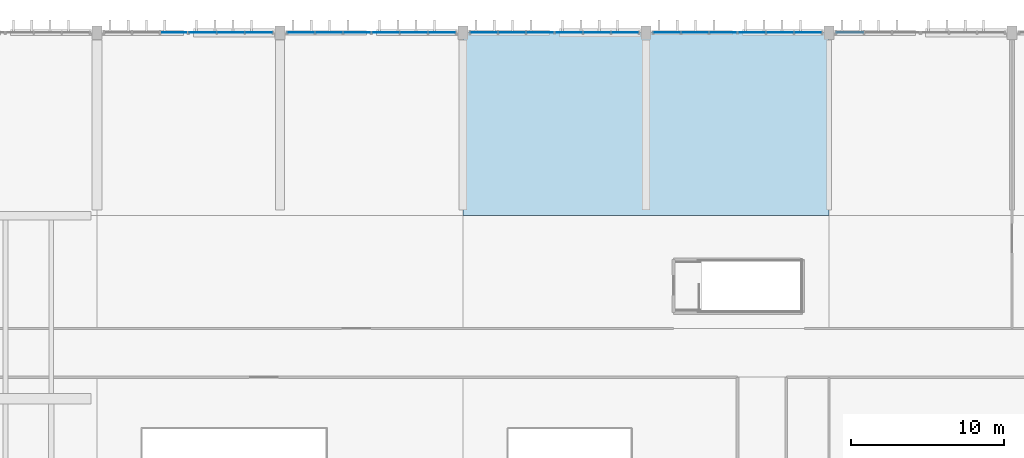
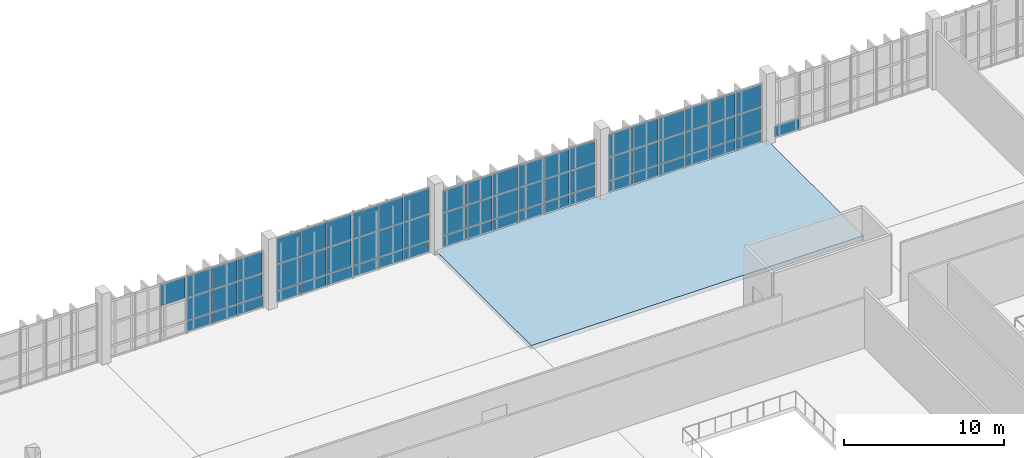
# One storey, part 72 of 112: 65 plates, 1 slab, 9 elements without a shape of their own.
"""IFC4 building model written with IfcOpenShell, lengths in metres."""

from ifc_helpers import new_model, si_unit, direction, frame, origin, origin_2d, place, context, subcontext, project, spatial, polyline, rectangle, outline, extrude, material, layer, layer_set, type_object, element, aggregate, save


model = new_model("IFC4")

# Units and contexts
model_context = context("Model", 3, precision=1e-05, world=origin(), true_north=direction((0.0, 1.0)))
body_context = subcontext(model_context, "Body", "Model", "MODEL_VIEW")
ifc_project = project(units=[si_unit("LENGTHUNIT", "METRE"), si_unit("AREAUNIT", "SQUARE_METRE"), si_unit("VOLUMEUNIT", "CUBIC_METRE"), si_unit("PLANEANGLEUNIT", "RADIAN"), si_unit("MASSUNIT", "GRAM", prefix="KILO")], contexts=[model_context])

# Site, building, storey
site_placement = place(None, origin())
site = spatial("IfcSite", under=ifc_project, at=site_placement, CompositionType="ELEMENT")
building_placement = place(site_placement, origin())
building = spatial("IfcBuilding", under=site, at=building_placement, Name="Kamomehara Wholesale Market", CompositionType="ELEMENT")
storey_placement = place(building_placement, frame((0.0, 0.0, 6.60009765625)))
storey = spatial("IfcBuildingStorey", under=building, at=storey_placement, Name="L01", CompositionType="ELEMENT", Elevation=6.60009765625)

# Curtain wall, plate
ifc_material_1 = material(Name="Anodised aluminium 6063-T5", Category="aluminium")
curtain_wall_type = type_object("IfcCurtainWallType", Name="CW-UN-02", PredefinedType="NOTDEFINED", material=ifc_material_1)
curtain_wall_1_placement = place(storey_placement, origin())
curtain_wall_1 = element("IfcCurtainWall", 1, at=curtain_wall_1_placement, inside=storey, type_object=curtain_wall_type, Name="Unitised curtain wall CW-061", PredefinedType="NOTDEFINED")
ifc_material_2 = material(Name="Solar-control Low-E double glazing", Category="glass")
ifc_layer_1 = layer(ifc_material_2, 0.028076171875)
ifc_layer_set_1 = layer_set([ifc_layer_1], Name="Solar-control Low-E double glazing")
plate_type_1 = type_object("IfcPlateType", Name="CW-PNL-GLZ", PredefinedType="CURTAIN_PANEL", material=ifc_layer_set_1)
plate_1_placement = place(storey_placement, frame((77.052001953125, 156.02001953125, 2.669921875), z_axis=(0.0, 0.0, 1.0), x_axis=(1.0, 0.0, 0.0)))
plate_1 = element("IfcPlate", 2, at=plate_1_placement, type_object=plate_type_1, Name="Curtain panel CW-061.2.2", PredefinedType="CURTAIN_PANEL", context=body_context, shape_type="SweptSolid", body=[
    extrude(rectangle(XDim=1.757080078125, YDim=0.028076171875, at=origin_2d()), origin(), (0.0, 0.0, 1.0), 1.639892578125),
])
aggregate(curtain_wall_1, [plate_1])

# Curtain wall, plates
curtain_wall_2_placement = place(storey_placement, origin())
curtain_wall_2 = element("IfcCurtainWall", 3, at=curtain_wall_2_placement, inside=storey, type_object=curtain_wall_type, Name="Unitised curtain wall CW-062", PredefinedType="NOTDEFINED")
plate_2_placement = place(storey_placement, frame((78.947998046875, 156.02001953125, 0.93017578125), z_axis=(0.0, 0.0, 1.0), x_axis=(1.0, 0.0, 0.0)))
plate_2 = element("IfcPlate", 4, at=plate_2_placement, type_object=plate_type_1, Name="Curtain panel CW-062.0.1", PredefinedType="CURTAIN_PANEL", context=body_context, shape_type="SweptSolid", body=[
    extrude(rectangle(XDim=1.757080078125, YDim=0.028076171875, at=origin_2d()), origin(), (0.0, 0.0, 1.0), 1.679931640625),
])
plate_3_placement = place(storey_placement, frame((78.947998046875, 156.02001953125, 2.669921875), z_axis=(0.0, 0.0, 1.0), x_axis=(1.0, 0.0, 0.0)))
plate_3 = element("IfcPlate", 5, at=plate_3_placement, type_object=plate_type_1, Name="Curtain panel CW-062.0.2", PredefinedType="CURTAIN_PANEL", context=body_context, shape_type="SweptSolid", body=[
    extrude(rectangle(XDim=1.757080078125, YDim=0.028076171875, at=origin_2d()), origin(), (0.0, 0.0, 1.0), 1.639892578125),
])
plate_4_placement = place(storey_placement, frame((80.784912109375, 156.02001953125, 0.93017578125), z_axis=(0.0, 0.0, 1.0), x_axis=(1.0, 0.0, 0.0)))
plate_4 = element("IfcPlate", 6, at=plate_4_placement, type_object=plate_type_1, Name="Curtain panel CW-062.1.1", PredefinedType="CURTAIN_PANEL", context=body_context, shape_type="SweptSolid", body=[
    extrude(rectangle(XDim=1.757080078125, YDim=0.028076171875, at=origin_2d()), origin(), (0.0, 0.0, 1.0), 1.679931640625),
])
plate_5_placement = place(storey_placement, frame((80.784912109375, 156.02001953125, 2.669921875), z_axis=(0.0, 0.0, 1.0), x_axis=(1.0, 0.0, 0.0)))
plate_5 = element("IfcPlate", 7, at=plate_5_placement, type_object=plate_type_1, Name="Curtain panel CW-062.1.2", PredefinedType="CURTAIN_PANEL", context=body_context, shape_type="SweptSolid", body=[
    extrude(rectangle(XDim=1.757080078125, YDim=0.028076171875, at=origin_2d()), origin(), (0.0, 0.0, 1.0), 1.639892578125),
])
plate_6_placement = place(storey_placement, frame((82.6220703125, 156.02001953125, 0.93017578125), z_axis=(0.0, 0.0, 1.0), x_axis=(1.0, 0.0, 0.0)))
plate_6 = element("IfcPlate", 8, at=plate_6_placement, type_object=plate_type_1, Name="Curtain panel CW-062.2.1", PredefinedType="CURTAIN_PANEL", context=body_context, shape_type="SweptSolid", body=[
    extrude(rectangle(XDim=1.757080078125, YDim=0.028076171875, at=origin_2d()), origin(), (0.0, 0.0, 1.0), 1.679931640625),
])
plate_7_placement = place(storey_placement, frame((82.6220703125, 156.02001953125, 2.669921875), z_axis=(0.0, 0.0, 1.0), x_axis=(1.0, 0.0, 0.0)))
plate_7 = element("IfcPlate", 9, at=plate_7_placement, type_object=plate_type_1, Name="Curtain panel CW-062.2.2", PredefinedType="CURTAIN_PANEL", context=body_context, shape_type="SweptSolid", body=[
    extrude(rectangle(XDim=1.757080078125, YDim=0.028076171875, at=origin_2d()), origin(), (0.0, 0.0, 1.0), 1.639892578125),
])

curtain_wall_3_placement = place(storey_placement, origin())
curtain_wall_3 = element("IfcCurtainWall", 10, at=curtain_wall_3_placement, inside=storey, type_object=curtain_wall_type, Name="Unitised curtain wall CW-065", PredefinedType="NOTDEFINED")
plate_8_placement = place(storey_placement, frame((85.3779296875, 156.02001953125, 0.93017578125), z_axis=(0.0, 0.0, 1.0), x_axis=(1.0, 0.0, 0.0)))
plate_8 = element("IfcPlate", 11, at=plate_8_placement, type_object=plate_type_1, Name="Curtain panel CW-065.0.1", PredefinedType="CURTAIN_PANEL", context=body_context, shape_type="SweptSolid", body=[
    extrude(rectangle(XDim=1.757080078125, YDim=0.028076171875, at=origin_2d()), origin(), (0.0, 0.0, 1.0), 1.985107421875),
])
plate_9_placement = place(storey_placement, frame((85.3779296875, 156.02001953125, 2.974609375), z_axis=(0.0, 0.0, 1.0), x_axis=(1.0, 0.0, 0.0)))
plate_9 = element("IfcPlate", 12, at=plate_9_placement, type_object=plate_type_1, Name="Curtain panel CW-065.0.2", PredefinedType="CURTAIN_PANEL", context=body_context, shape_type="SweptSolid", body=[
    extrude(rectangle(XDim=1.757080078125, YDim=0.028076171875, at=origin_2d()), origin(), (0.0, 0.0, 1.0), 1.945068359375),
])
plate_10_placement = place(storey_placement, frame((87.215087890625, 156.02001953125, 0.93017578125), z_axis=(0.0, 0.0, 1.0), x_axis=(1.0, 0.0, 0.0)))
plate_10 = element("IfcPlate", 13, at=plate_10_placement, type_object=plate_type_1, Name="Curtain panel CW-065.1.1", PredefinedType="CURTAIN_PANEL", context=body_context, shape_type="SweptSolid", body=[
    extrude(rectangle(XDim=1.757080078125, YDim=0.028076171875, at=origin_2d()), origin(), (0.0, 0.0, 1.0), 1.985107421875),
])
plate_11_placement = place(storey_placement, frame((87.215087890625, 156.02001953125, 2.974609375), z_axis=(0.0, 0.0, 1.0), x_axis=(1.0, 0.0, 0.0)))
plate_11 = element("IfcPlate", 14, at=plate_11_placement, type_object=plate_type_1, Name="Curtain panel CW-065.1.2", PredefinedType="CURTAIN_PANEL", context=body_context, shape_type="SweptSolid", body=[
    extrude(rectangle(XDim=1.757080078125, YDim=0.028076171875, at=origin_2d()), origin(), (0.0, 0.0, 1.0), 1.945068359375),
])
plate_12_placement = place(storey_placement, frame((89.052001953125, 156.02001953125, 0.93017578125), z_axis=(0.0, 0.0, 1.0), x_axis=(1.0, 0.0, 0.0)))
plate_12 = element("IfcPlate", 15, at=plate_12_placement, type_object=plate_type_1, Name="Curtain panel CW-065.2.1", PredefinedType="CURTAIN_PANEL", context=body_context, shape_type="SweptSolid", body=[
    extrude(rectangle(XDim=1.757080078125, YDim=0.028076171875, at=origin_2d()), origin(), (0.0, 0.0, 1.0), 1.985107421875),
])
plate_13_placement = place(storey_placement, frame((89.052001953125, 156.02001953125, 2.974609375), z_axis=(0.0, 0.0, 1.0), x_axis=(1.0, 0.0, 0.0)))
plate_13 = element("IfcPlate", 16, at=plate_13_placement, type_object=plate_type_1, Name="Curtain panel CW-065.2.2", PredefinedType="CURTAIN_PANEL", context=body_context, shape_type="SweptSolid", body=[
    extrude(rectangle(XDim=1.757080078125, YDim=0.028076171875, at=origin_2d()), origin(), (0.0, 0.0, 1.0), 1.945068359375),
])

curtain_wall_4_placement = place(storey_placement, origin())
curtain_wall_4 = element("IfcCurtainWall", 17, at=curtain_wall_4_placement, inside=storey, type_object=curtain_wall_type, Name="Unitised curtain wall CW-066", PredefinedType="NOTDEFINED")
plate_14_placement = place(storey_placement, frame((90.947998046875, 156.02001953125, 0.93017578125), z_axis=(0.0, 0.0, 1.0), x_axis=(1.0, 0.0, 0.0)))
plate_14 = element("IfcPlate", 18, at=plate_14_placement, type_object=plate_type_1, Name="Curtain panel CW-066.0.1", PredefinedType="CURTAIN_PANEL", context=body_context, shape_type="SweptSolid", body=[
    extrude(rectangle(XDim=1.757080078125, YDim=0.028076171875, at=origin_2d()), origin(), (0.0, 0.0, 1.0), 1.985107421875),
])
plate_15_placement = place(storey_placement, frame((90.947998046875, 156.02001953125, 2.974609375), z_axis=(0.0, 0.0, 1.0), x_axis=(1.0, 0.0, 0.0)))
plate_15 = element("IfcPlate", 19, at=plate_15_placement, type_object=plate_type_1, Name="Curtain panel CW-066.0.2", PredefinedType="CURTAIN_PANEL", context=body_context, shape_type="SweptSolid", body=[
    extrude(rectangle(XDim=1.757080078125, YDim=0.028076171875, at=origin_2d()), origin(), (0.0, 0.0, 1.0), 1.945068359375),
])
plate_16_placement = place(storey_placement, frame((92.784912109375, 156.02001953125, 0.93017578125), z_axis=(0.0, 0.0, 1.0), x_axis=(1.0, 0.0, 0.0)))
plate_16 = element("IfcPlate", 20, at=plate_16_placement, type_object=plate_type_1, Name="Curtain panel CW-066.1.1", PredefinedType="CURTAIN_PANEL", context=body_context, shape_type="SweptSolid", body=[
    extrude(rectangle(XDim=1.757080078125, YDim=0.028076171875, at=origin_2d()), origin(), (0.0, 0.0, 1.0), 1.985107421875),
])
plate_17_placement = place(storey_placement, frame((92.784912109375, 156.02001953125, 2.974609375), z_axis=(0.0, 0.0, 1.0), x_axis=(1.0, 0.0, 0.0)))
plate_17 = element("IfcPlate", 21, at=plate_17_placement, type_object=plate_type_1, Name="Curtain panel CW-066.1.2", PredefinedType="CURTAIN_PANEL", context=body_context, shape_type="SweptSolid", body=[
    extrude(rectangle(XDim=1.757080078125, YDim=0.028076171875, at=origin_2d()), origin(), (0.0, 0.0, 1.0), 1.945068359375),
])
plate_18_placement = place(storey_placement, frame((94.6220703125, 156.02001953125, 0.93017578125), z_axis=(0.0, 0.0, 1.0), x_axis=(1.0, 0.0, 0.0)))
plate_18 = element("IfcPlate", 22, at=plate_18_placement, type_object=plate_type_1, Name="Curtain panel CW-066.2.1", PredefinedType="CURTAIN_PANEL", context=body_context, shape_type="SweptSolid", body=[
    extrude(rectangle(XDim=1.757080078125, YDim=0.028076171875, at=origin_2d()), origin(), (0.0, 0.0, 1.0), 1.985107421875),
])
plate_19_placement = place(storey_placement, frame((94.6220703125, 156.02001953125, 2.974609375), z_axis=(0.0, 0.0, 1.0), x_axis=(1.0, 0.0, 0.0)))
plate_19 = element("IfcPlate", 23, at=plate_19_placement, type_object=plate_type_1, Name="Curtain panel CW-066.2.2", PredefinedType="CURTAIN_PANEL", context=body_context, shape_type="SweptSolid", body=[
    extrude(rectangle(XDim=1.757080078125, YDim=0.028076171875, at=origin_2d()), origin(), (0.0, 0.0, 1.0), 1.945068359375),
])

curtain_wall_5_placement = place(storey_placement, origin())
curtain_wall_5 = element("IfcCurtainWall", 24, at=curtain_wall_5_placement, inside=storey, type_object=curtain_wall_type, Name="Unitised curtain wall CW-069", PredefinedType="NOTDEFINED")
plate_20_placement = place(storey_placement, frame((97.3779296875, 156.02001953125, 0.930419921875), z_axis=(0.0, 0.0, 1.0), x_axis=(1.0, 0.0, 0.0)))
plate_20 = element("IfcPlate", 25, at=plate_20_placement, type_object=plate_type_1, Name="Curtain panel CW-069.0.1", PredefinedType="CURTAIN_PANEL", context=body_context, shape_type="SweptSolid", body=[
    extrude(rectangle(XDim=1.757080078125, YDim=0.028076171875, at=origin_2d()), origin(), (0.0, 0.0, 1.0), 1.705078125),
])
plate_21_placement = place(storey_placement, frame((97.3779296875, 156.02001953125, 2.6953125), z_axis=(0.0, 0.0, 1.0), x_axis=(1.0, 0.0, 0.0)))
plate_21 = element("IfcPlate", 26, at=plate_21_placement, type_object=plate_type_1, Name="Curtain panel CW-069.0.2", PredefinedType="CURTAIN_PANEL", context=body_context, shape_type="SweptSolid", body=[
    extrude(rectangle(XDim=1.757080078125, YDim=0.028076171875, at=origin_2d()), origin(), (0.0, 0.0, 1.0), 1.6650390625),
])
plate_22_placement = place(storey_placement, frame((99.215087890625, 156.02001953125, 0.930419921875), z_axis=(0.0, 0.0, 1.0), x_axis=(1.0, 0.0, 0.0)))
plate_22 = element("IfcPlate", 27, at=plate_22_placement, type_object=plate_type_1, Name="Curtain panel CW-069.1.1", PredefinedType="CURTAIN_PANEL", context=body_context, shape_type="SweptSolid", body=[
    extrude(rectangle(XDim=1.757080078125, YDim=0.028076171875, at=origin_2d()), origin(), (0.0, 0.0, 1.0), 1.705078125),
])
plate_23_placement = place(storey_placement, frame((99.215087890625, 156.02001953125, 2.6953125), z_axis=(0.0, 0.0, 1.0), x_axis=(1.0, 0.0, 0.0)))
plate_23 = element("IfcPlate", 28, at=plate_23_placement, type_object=plate_type_1, Name="Curtain panel CW-069.1.2", PredefinedType="CURTAIN_PANEL", context=body_context, shape_type="SweptSolid", body=[
    extrude(rectangle(XDim=1.757080078125, YDim=0.028076171875, at=origin_2d()), origin(), (0.0, 0.0, 1.0), 1.6650390625),
])
plate_24_placement = place(storey_placement, frame((101.052001953125, 156.02001953125, 0.930419921875), z_axis=(0.0, 0.0, 1.0), x_axis=(1.0, 0.0, 0.0)))
plate_24 = element("IfcPlate", 29, at=plate_24_placement, type_object=plate_type_1, Name="Curtain panel CW-069.2.1", PredefinedType="CURTAIN_PANEL", context=body_context, shape_type="SweptSolid", body=[
    extrude(rectangle(XDim=1.757080078125, YDim=0.028076171875, at=origin_2d()), origin(), (0.0, 0.0, 1.0), 1.705078125),
])
plate_25_placement = place(storey_placement, frame((101.052001953125, 156.02001953125, 2.6953125), z_axis=(0.0, 0.0, 1.0), x_axis=(1.0, 0.0, 0.0)))
plate_25 = element("IfcPlate", 30, at=plate_25_placement, type_object=plate_type_1, Name="Curtain panel CW-069.2.2", PredefinedType="CURTAIN_PANEL", context=body_context, shape_type="SweptSolid", body=[
    extrude(rectangle(XDim=1.757080078125, YDim=0.028076171875, at=origin_2d()), origin(), (0.0, 0.0, 1.0), 1.6650390625),
])

curtain_wall_6_placement = place(storey_placement, origin())
curtain_wall_6 = element("IfcCurtainWall", 31, at=curtain_wall_6_placement, inside=storey, type_object=curtain_wall_type, Name="Unitised curtain wall CW-070", PredefinedType="NOTDEFINED")
plate_26_placement = place(storey_placement, frame((102.947998046875, 156.02001953125, 0.930419921875), z_axis=(0.0, 0.0, 1.0), x_axis=(1.0, 0.0, 0.0)))
plate_26 = element("IfcPlate", 32, at=plate_26_placement, type_object=plate_type_1, Name="Curtain panel CW-070.0.1", PredefinedType="CURTAIN_PANEL", context=body_context, shape_type="SweptSolid", body=[
    extrude(rectangle(XDim=1.757080078125, YDim=0.028076171875, at=origin_2d()), origin(), (0.0, 0.0, 1.0), 1.705078125),
])
plate_27_placement = place(storey_placement, frame((102.947998046875, 156.02001953125, 2.6953125), z_axis=(0.0, 0.0, 1.0), x_axis=(1.0, 0.0, 0.0)))
plate_27 = element("IfcPlate", 33, at=plate_27_placement, type_object=plate_type_1, Name="Curtain panel CW-070.0.2", PredefinedType="CURTAIN_PANEL", context=body_context, shape_type="SweptSolid", body=[
    extrude(rectangle(XDim=1.757080078125, YDim=0.028076171875, at=origin_2d()), origin(), (0.0, 0.0, 1.0), 1.6650390625),
])
plate_28_placement = place(storey_placement, frame((104.784912109375, 156.02001953125, 0.930419921875), z_axis=(0.0, 0.0, 1.0), x_axis=(1.0, 0.0, 0.0)))
plate_28 = element("IfcPlate", 34, at=plate_28_placement, type_object=plate_type_1, Name="Curtain panel CW-070.1.1", PredefinedType="CURTAIN_PANEL", context=body_context, shape_type="SweptSolid", body=[
    extrude(rectangle(XDim=1.757080078125, YDim=0.028076171875, at=origin_2d()), origin(), (0.0, 0.0, 1.0), 1.705078125),
])
plate_29_placement = place(storey_placement, frame((104.784912109375, 156.02001953125, 2.6953125), z_axis=(0.0, 0.0, 1.0), x_axis=(1.0, 0.0, 0.0)))
plate_29 = element("IfcPlate", 35, at=plate_29_placement, type_object=plate_type_1, Name="Curtain panel CW-070.1.2", PredefinedType="CURTAIN_PANEL", context=body_context, shape_type="SweptSolid", body=[
    extrude(rectangle(XDim=1.757080078125, YDim=0.028076171875, at=origin_2d()), origin(), (0.0, 0.0, 1.0), 1.6650390625),
])
plate_30_placement = place(storey_placement, frame((106.6220703125, 156.02001953125, 0.930419921875), z_axis=(0.0, 0.0, 1.0), x_axis=(1.0, 0.0, 0.0)))
plate_30 = element("IfcPlate", 36, at=plate_30_placement, type_object=plate_type_1, Name="Curtain panel CW-070.2.1", PredefinedType="CURTAIN_PANEL", context=body_context, shape_type="SweptSolid", body=[
    extrude(rectangle(XDim=1.757080078125, YDim=0.028076171875, at=origin_2d()), origin(), (0.0, 0.0, 1.0), 1.705078125),
])
plate_31_placement = place(storey_placement, frame((106.6220703125, 156.02001953125, 2.6953125), z_axis=(0.0, 0.0, 1.0), x_axis=(1.0, 0.0, 0.0)))
plate_31 = element("IfcPlate", 37, at=plate_31_placement, type_object=plate_type_1, Name="Curtain panel CW-070.2.2", PredefinedType="CURTAIN_PANEL", context=body_context, shape_type="SweptSolid", body=[
    extrude(rectangle(XDim=1.757080078125, YDim=0.028076171875, at=origin_2d()), origin(), (0.0, 0.0, 1.0), 1.6650390625),
])

curtain_wall_7_placement = place(storey_placement, origin())
curtain_wall_7 = element("IfcCurtainWall", 38, at=curtain_wall_7_placement, inside=storey, type_object=curtain_wall_type, Name="Unitised curtain wall CW-073", PredefinedType="NOTDEFINED")
plate_32_placement = place(storey_placement, frame((109.3779296875, 156.02001953125, 0.929443359375), z_axis=(0.0, 0.0, 1.0), x_axis=(1.0, 0.0, 0.0)))
plate_32 = element("IfcPlate", 39, at=plate_32_placement, type_object=plate_type_1, Name="Curtain panel CW-073.0.1", PredefinedType="CURTAIN_PANEL", context=body_context, shape_type="SweptSolid", body=[
    extrude(rectangle(XDim=1.757080078125, YDim=0.028076171875, at=origin_2d()), origin(), (0.0, 0.0, 1.0), 1.7548828125),
])
plate_33_placement = place(storey_placement, frame((109.3779296875, 156.02001953125, 2.7451171875), z_axis=(0.0, 0.0, 1.0), x_axis=(1.0, 0.0, 0.0)))
plate_33 = element("IfcPlate", 40, at=plate_33_placement, type_object=plate_type_1, Name="Curtain panel CW-073.0.2", PredefinedType="CURTAIN_PANEL", context=body_context, shape_type="SweptSolid", body=[
    extrude(rectangle(XDim=1.757080078125, YDim=0.028076171875, at=origin_2d()), origin(), (0.0, 0.0, 1.0), 1.715087890625),
])
plate_34_placement = place(storey_placement, frame((111.215087890625, 156.02001953125, 0.929443359375), z_axis=(0.0, 0.0, 1.0), x_axis=(1.0, 0.0, 0.0)))
plate_34 = element("IfcPlate", 41, at=plate_34_placement, type_object=plate_type_1, Name="Curtain panel CW-073.1.1", PredefinedType="CURTAIN_PANEL", context=body_context, shape_type="SweptSolid", body=[
    extrude(rectangle(XDim=1.757080078125, YDim=0.028076171875, at=origin_2d()), origin(), (0.0, 0.0, 1.0), 1.7548828125),
])
plate_35_placement = place(storey_placement, frame((111.215087890625, 156.02001953125, 2.7451171875), z_axis=(0.0, 0.0, 1.0), x_axis=(1.0, 0.0, 0.0)))
plate_35 = element("IfcPlate", 42, at=plate_35_placement, type_object=plate_type_1, Name="Curtain panel CW-073.1.2", PredefinedType="CURTAIN_PANEL", context=body_context, shape_type="SweptSolid", body=[
    extrude(rectangle(XDim=1.757080078125, YDim=0.028076171875, at=origin_2d()), origin(), (0.0, 0.0, 1.0), 1.715087890625),
])
plate_36_placement = place(storey_placement, frame((113.052001953125, 156.02001953125, 0.929443359375), z_axis=(0.0, 0.0, 1.0), x_axis=(1.0, 0.0, 0.0)))
plate_36 = element("IfcPlate", 43, at=plate_36_placement, type_object=plate_type_1, Name="Curtain panel CW-073.2.1", PredefinedType="CURTAIN_PANEL", context=body_context, shape_type="SweptSolid", body=[
    extrude(rectangle(XDim=1.757080078125, YDim=0.028076171875, at=origin_2d()), origin(), (0.0, 0.0, 1.0), 1.7548828125),
])
plate_37_placement = place(storey_placement, frame((113.052001953125, 156.02001953125, 2.7451171875), z_axis=(0.0, 0.0, 1.0), x_axis=(1.0, 0.0, 0.0)))
plate_37 = element("IfcPlate", 44, at=plate_37_placement, type_object=plate_type_1, Name="Curtain panel CW-073.2.2", PredefinedType="CURTAIN_PANEL", context=body_context, shape_type="SweptSolid", body=[
    extrude(rectangle(XDim=1.757080078125, YDim=0.028076171875, at=origin_2d()), origin(), (0.0, 0.0, 1.0), 1.715087890625),
])

curtain_wall_8_placement = place(storey_placement, origin())
curtain_wall_8 = element("IfcCurtainWall", 45, at=curtain_wall_8_placement, inside=storey, type_object=curtain_wall_type, Name="Unitised curtain wall CW-074", PredefinedType="NOTDEFINED")
plate_38_placement = place(storey_placement, frame((114.947998046875, 156.02001953125, 0.929443359375), z_axis=(0.0, 0.0, 1.0), x_axis=(1.0, 0.0, 0.0)))
plate_38 = element("IfcPlate", 46, at=plate_38_placement, type_object=plate_type_1, Name="Curtain panel CW-074.0.1", PredefinedType="CURTAIN_PANEL", context=body_context, shape_type="SweptSolid", body=[
    extrude(rectangle(XDim=1.757080078125, YDim=0.028076171875, at=origin_2d()), origin(), (0.0, 0.0, 1.0), 1.7548828125),
])
plate_39_placement = place(storey_placement, frame((114.947998046875, 156.02001953125, 2.7451171875), z_axis=(0.0, 0.0, 1.0), x_axis=(1.0, 0.0, 0.0)))
plate_39 = element("IfcPlate", 47, at=plate_39_placement, type_object=plate_type_1, Name="Curtain panel CW-074.0.2", PredefinedType="CURTAIN_PANEL", context=body_context, shape_type="SweptSolid", body=[
    extrude(rectangle(XDim=1.757080078125, YDim=0.028076171875, at=origin_2d()), origin(), (0.0, 0.0, 1.0), 1.715087890625),
])
plate_40_placement = place(storey_placement, frame((116.784912109375, 156.02001953125, 0.929443359375), z_axis=(0.0, 0.0, 1.0), x_axis=(1.0, 0.0, 0.0)))
plate_40 = element("IfcPlate", 48, at=plate_40_placement, type_object=plate_type_1, Name="Curtain panel CW-074.1.1", PredefinedType="CURTAIN_PANEL", context=body_context, shape_type="SweptSolid", body=[
    extrude(rectangle(XDim=1.757080078125, YDim=0.028076171875, at=origin_2d()), origin(), (0.0, 0.0, 1.0), 1.7548828125),
])
plate_41_placement = place(storey_placement, frame((116.784912109375, 156.02001953125, 2.7451171875), z_axis=(0.0, 0.0, 1.0), x_axis=(1.0, 0.0, 0.0)))
plate_41 = element("IfcPlate", 49, at=plate_41_placement, type_object=plate_type_1, Name="Curtain panel CW-074.1.2", PredefinedType="CURTAIN_PANEL", context=body_context, shape_type="SweptSolid", body=[
    extrude(rectangle(XDim=1.757080078125, YDim=0.028076171875, at=origin_2d()), origin(), (0.0, 0.0, 1.0), 1.715087890625),
])
plate_42_placement = place(storey_placement, frame((118.6220703125, 156.02001953125, 0.929443359375), z_axis=(0.0, 0.0, 1.0), x_axis=(1.0, 0.0, 0.0)))
plate_42 = element("IfcPlate", 50, at=plate_42_placement, type_object=plate_type_1, Name="Curtain panel CW-074.2.1", PredefinedType="CURTAIN_PANEL", context=body_context, shape_type="SweptSolid", body=[
    extrude(rectangle(XDim=1.757080078125, YDim=0.028076171875, at=origin_2d()), origin(), (0.0, 0.0, 1.0), 1.7548828125),
])
plate_43_placement = place(storey_placement, frame((118.6220703125, 156.02001953125, 2.7451171875), z_axis=(0.0, 0.0, 1.0), x_axis=(1.0, 0.0, 0.0)))
plate_43 = element("IfcPlate", 51, at=plate_43_placement, type_object=plate_type_1, Name="Curtain panel CW-074.2.2", PredefinedType="CURTAIN_PANEL", context=body_context, shape_type="SweptSolid", body=[
    extrude(rectangle(XDim=1.757080078125, YDim=0.028076171875, at=origin_2d()), origin(), (0.0, 0.0, 1.0), 1.715087890625),
])

# Plate
ifc_material_3 = material(Name="Insulated aluminium spandrel panel", Category="aluminium")
ifc_layer_2 = layer(ifc_material_3, 0.0400390625)
ifc_layer_set_2 = layer_set([ifc_layer_2], Name="Insulated aluminium spandrel panel")
plate_type_2 = type_object("IfcPlateType", Name="CW-PNL-SPN", PredefinedType="CURTAIN_PANEL", material=ifc_layer_set_2)
plate_44_placement = place(storey_placement, frame((78.947998046875, 156.02001953125, 0.06982421875), z_axis=(0.0, 0.0, 1.0), x_axis=(1.0, 0.0, 0.0)))
plate_44 = element("IfcPlate", 52, at=plate_44_placement, type_object=plate_type_2, Name="Curtain panel CW-062.0.0", PredefinedType="CURTAIN_PANEL", context=body_context, shape_type="SweptSolid", body=[
    extrude(rectangle(XDim=1.757080078125, YDim=0.0400390625, at=origin_2d()), origin(), (0.0, 0.0, 1.0), 0.800048828125),
])

plate_45_placement = place(storey_placement, frame((80.784912109375, 156.02001953125, 0.06982421875), z_axis=(0.0, 0.0, 1.0), x_axis=(1.0, 0.0, 0.0)))
plate_45 = element("IfcPlate", 53, at=plate_45_placement, type_object=plate_type_2, Name="Curtain panel CW-062.1.0", PredefinedType="CURTAIN_PANEL", context=body_context, shape_type="SweptSolid", body=[
    extrude(rectangle(XDim=1.757080078125, YDim=0.0400390625, at=origin_2d()), origin(), (0.0, 0.0, 1.0), 0.800048828125),
])

plate_46_placement = place(storey_placement, frame((82.6220703125, 156.02001953125, 0.06982421875), z_axis=(0.0, 0.0, 1.0), x_axis=(1.0, 0.0, 0.0)))
plate_46 = element("IfcPlate", 54, at=plate_46_placement, type_object=plate_type_2, Name="Curtain panel CW-062.2.0", PredefinedType="CURTAIN_PANEL", context=body_context, shape_type="SweptSolid", body=[
    extrude(rectangle(XDim=1.757080078125, YDim=0.0400390625, at=origin_2d()), origin(), (0.0, 0.0, 1.0), 0.800048828125),
])

aggregate(curtain_wall_2, [plate_44, plate_2, plate_3, plate_45, plate_4, plate_5, plate_46, plate_6, plate_7])

plate_47_placement = place(storey_placement, frame((85.3779296875, 156.02001953125, 0.06982421875), z_axis=(0.0, 0.0, 1.0), x_axis=(1.0, 0.0, 0.0)))
plate_47 = element("IfcPlate", 55, at=plate_47_placement, type_object=plate_type_2, Name="Curtain panel CW-065.0.0", PredefinedType="CURTAIN_PANEL", context=body_context, shape_type="SweptSolid", body=[
    extrude(rectangle(XDim=1.757080078125, YDim=0.0400390625, at=origin_2d()), origin(), (0.0, 0.0, 1.0), 0.800048828125),
])

plate_48_placement = place(storey_placement, frame((87.215087890625, 156.02001953125, 0.06982421875), z_axis=(0.0, 0.0, 1.0), x_axis=(1.0, 0.0, 0.0)))
plate_48 = element("IfcPlate", 56, at=plate_48_placement, type_object=plate_type_2, Name="Curtain panel CW-065.1.0", PredefinedType="CURTAIN_PANEL", context=body_context, shape_type="SweptSolid", body=[
    extrude(rectangle(XDim=1.757080078125, YDim=0.0400390625, at=origin_2d()), origin(), (0.0, 0.0, 1.0), 0.800048828125),
])

plate_49_placement = place(storey_placement, frame((89.052001953125, 156.02001953125, 0.06982421875), z_axis=(0.0, 0.0, 1.0), x_axis=(1.0, 0.0, 0.0)))
plate_49 = element("IfcPlate", 57, at=plate_49_placement, type_object=plate_type_2, Name="Curtain panel CW-065.2.0", PredefinedType="CURTAIN_PANEL", context=body_context, shape_type="SweptSolid", body=[
    extrude(rectangle(XDim=1.757080078125, YDim=0.0400390625, at=origin_2d()), origin(), (0.0, 0.0, 1.0), 0.800048828125),
])

aggregate(curtain_wall_3, [plate_47, plate_8, plate_9, plate_48, plate_10, plate_11, plate_49, plate_12, plate_13])

plate_50_placement = place(storey_placement, frame((90.947998046875, 156.02001953125, 0.06982421875), z_axis=(0.0, 0.0, 1.0), x_axis=(1.0, 0.0, 0.0)))
plate_50 = element("IfcPlate", 58, at=plate_50_placement, type_object=plate_type_2, Name="Curtain panel CW-066.0.0", PredefinedType="CURTAIN_PANEL", context=body_context, shape_type="SweptSolid", body=[
    extrude(rectangle(XDim=1.757080078125, YDim=0.0400390625, at=origin_2d()), origin(), (0.0, 0.0, 1.0), 0.800048828125),
])

plate_51_placement = place(storey_placement, frame((92.784912109375, 156.02001953125, 0.06982421875), z_axis=(0.0, 0.0, 1.0), x_axis=(1.0, 0.0, 0.0)))
plate_51 = element("IfcPlate", 59, at=plate_51_placement, type_object=plate_type_2, Name="Curtain panel CW-066.1.0", PredefinedType="CURTAIN_PANEL", context=body_context, shape_type="SweptSolid", body=[
    extrude(rectangle(XDim=1.757080078125, YDim=0.0400390625, at=origin_2d()), origin(), (0.0, 0.0, 1.0), 0.800048828125),
])

plate_52_placement = place(storey_placement, frame((94.6220703125, 156.02001953125, 0.06982421875), z_axis=(0.0, 0.0, 1.0), x_axis=(1.0, 0.0, 0.0)))
plate_52 = element("IfcPlate", 60, at=plate_52_placement, type_object=plate_type_2, Name="Curtain panel CW-066.2.0", PredefinedType="CURTAIN_PANEL", context=body_context, shape_type="SweptSolid", body=[
    extrude(rectangle(XDim=1.757080078125, YDim=0.0400390625, at=origin_2d()), origin(), (0.0, 0.0, 1.0), 0.800048828125),
])

aggregate(curtain_wall_4, [plate_50, plate_14, plate_15, plate_51, plate_16, plate_17, plate_52, plate_18, plate_19])

plate_53_placement = place(storey_placement, frame((97.3779296875, 156.02001953125, 0.06982421875), z_axis=(0.0, 0.0, 1.0), x_axis=(1.0, 0.0, 0.0)))
plate_53 = element("IfcPlate", 61, at=plate_53_placement, type_object=plate_type_2, Name="Curtain panel CW-069.0.0", PredefinedType="CURTAIN_PANEL", context=body_context, shape_type="SweptSolid", body=[
    extrude(rectangle(XDim=1.757080078125, YDim=0.0400390625, at=origin_2d()), origin(), (0.0, 0.0, 1.0), 0.800048828125),
])

plate_54_placement = place(storey_placement, frame((99.215087890625, 156.02001953125, 0.06982421875), z_axis=(0.0, 0.0, 1.0), x_axis=(1.0, 0.0, 0.0)))
plate_54 = element("IfcPlate", 62, at=plate_54_placement, type_object=plate_type_2, Name="Curtain panel CW-069.1.0", PredefinedType="CURTAIN_PANEL", context=body_context, shape_type="SweptSolid", body=[
    extrude(rectangle(XDim=1.757080078125, YDim=0.0400390625, at=origin_2d()), origin(), (0.0, 0.0, 1.0), 0.800048828125),
])

plate_55_placement = place(storey_placement, frame((101.052001953125, 156.02001953125, 0.06982421875), z_axis=(0.0, 0.0, 1.0), x_axis=(1.0, 0.0, 0.0)))
plate_55 = element("IfcPlate", 63, at=plate_55_placement, type_object=plate_type_2, Name="Curtain panel CW-069.2.0", PredefinedType="CURTAIN_PANEL", context=body_context, shape_type="SweptSolid", body=[
    extrude(rectangle(XDim=1.757080078125, YDim=0.0400390625, at=origin_2d()), origin(), (0.0, 0.0, 1.0), 0.800048828125),
])

aggregate(curtain_wall_5, [plate_53, plate_20, plate_21, plate_54, plate_22, plate_23, plate_55, plate_24, plate_25])

plate_56_placement = place(storey_placement, frame((102.947998046875, 156.02001953125, 0.06982421875), z_axis=(0.0, 0.0, 1.0), x_axis=(1.0, 0.0, 0.0)))
plate_56 = element("IfcPlate", 64, at=plate_56_placement, type_object=plate_type_2, Name="Curtain panel CW-070.0.0", PredefinedType="CURTAIN_PANEL", context=body_context, shape_type="SweptSolid", body=[
    extrude(rectangle(XDim=1.757080078125, YDim=0.0400390625, at=origin_2d()), origin(), (0.0, 0.0, 1.0), 0.800048828125),
])

plate_57_placement = place(storey_placement, frame((104.784912109375, 156.02001953125, 0.06982421875), z_axis=(0.0, 0.0, 1.0), x_axis=(1.0, 0.0, 0.0)))
plate_57 = element("IfcPlate", 65, at=plate_57_placement, type_object=plate_type_2, Name="Curtain panel CW-070.1.0", PredefinedType="CURTAIN_PANEL", context=body_context, shape_type="SweptSolid", body=[
    extrude(rectangle(XDim=1.757080078125, YDim=0.0400390625, at=origin_2d()), origin(), (0.0, 0.0, 1.0), 0.800048828125),
])

plate_58_placement = place(storey_placement, frame((106.6220703125, 156.02001953125, 0.06982421875), z_axis=(0.0, 0.0, 1.0), x_axis=(1.0, 0.0, 0.0)))
plate_58 = element("IfcPlate", 66, at=plate_58_placement, type_object=plate_type_2, Name="Curtain panel CW-070.2.0", PredefinedType="CURTAIN_PANEL", context=body_context, shape_type="SweptSolid", body=[
    extrude(rectangle(XDim=1.757080078125, YDim=0.0400390625, at=origin_2d()), origin(), (0.0, 0.0, 1.0), 0.800048828125),
])

aggregate(curtain_wall_6, [plate_56, plate_26, plate_27, plate_57, plate_28, plate_29, plate_58, plate_30, plate_31])

plate_59_placement = place(storey_placement, frame((109.3779296875, 156.02001953125, 0.06982421875), z_axis=(0.0, 0.0, 1.0), x_axis=(1.0, 0.0, 0.0)))
plate_59 = element("IfcPlate", 67, at=plate_59_placement, type_object=plate_type_2, Name="Curtain panel CW-073.0.0", PredefinedType="CURTAIN_PANEL", context=body_context, shape_type="SweptSolid", body=[
    extrude(rectangle(XDim=1.757080078125, YDim=0.0400390625, at=origin_2d()), origin(), (0.0, 0.0, 1.0), 0.800048828125),
])

plate_60_placement = place(storey_placement, frame((111.215087890625, 156.02001953125, 0.06982421875), z_axis=(0.0, 0.0, 1.0), x_axis=(1.0, 0.0, 0.0)))
plate_60 = element("IfcPlate", 68, at=plate_60_placement, type_object=plate_type_2, Name="Curtain panel CW-073.1.0", PredefinedType="CURTAIN_PANEL", context=body_context, shape_type="SweptSolid", body=[
    extrude(rectangle(XDim=1.757080078125, YDim=0.0400390625, at=origin_2d()), origin(), (0.0, 0.0, 1.0), 0.800048828125),
])

plate_61_placement = place(storey_placement, frame((113.052001953125, 156.02001953125, 0.06982421875), z_axis=(0.0, 0.0, 1.0), x_axis=(1.0, 0.0, 0.0)))
plate_61 = element("IfcPlate", 69, at=plate_61_placement, type_object=plate_type_2, Name="Curtain panel CW-073.2.0", PredefinedType="CURTAIN_PANEL", context=body_context, shape_type="SweptSolid", body=[
    extrude(rectangle(XDim=1.757080078125, YDim=0.0400390625, at=origin_2d()), origin(), (0.0, 0.0, 1.0), 0.800048828125),
])

aggregate(curtain_wall_7, [plate_59, plate_32, plate_33, plate_60, plate_34, plate_35, plate_61, plate_36, plate_37])

plate_62_placement = place(storey_placement, frame((114.947998046875, 156.02001953125, 0.06982421875), z_axis=(0.0, 0.0, 1.0), x_axis=(1.0, 0.0, 0.0)))
plate_62 = element("IfcPlate", 70, at=plate_62_placement, type_object=plate_type_2, Name="Curtain panel CW-074.0.0", PredefinedType="CURTAIN_PANEL", context=body_context, shape_type="SweptSolid", body=[
    extrude(rectangle(XDim=1.757080078125, YDim=0.0400390625, at=origin_2d()), origin(), (0.0, 0.0, 1.0), 0.800048828125),
])

plate_63_placement = place(storey_placement, frame((116.784912109375, 156.02001953125, 0.06982421875), z_axis=(0.0, 0.0, 1.0), x_axis=(1.0, 0.0, 0.0)))
plate_63 = element("IfcPlate", 71, at=plate_63_placement, type_object=plate_type_2, Name="Curtain panel CW-074.1.0", PredefinedType="CURTAIN_PANEL", context=body_context, shape_type="SweptSolid", body=[
    extrude(rectangle(XDim=1.757080078125, YDim=0.0400390625, at=origin_2d()), origin(), (0.0, 0.0, 1.0), 0.800048828125),
])

plate_64_placement = place(storey_placement, frame((118.6220703125, 156.02001953125, 0.06982421875), z_axis=(0.0, 0.0, 1.0), x_axis=(1.0, 0.0, 0.0)))
plate_64 = element("IfcPlate", 72, at=plate_64_placement, type_object=plate_type_2, Name="Curtain panel CW-074.2.0", PredefinedType="CURTAIN_PANEL", context=body_context, shape_type="SweptSolid", body=[
    extrude(rectangle(XDim=1.757080078125, YDim=0.0400390625, at=origin_2d()), origin(), (0.0, 0.0, 1.0), 0.800048828125),
])

aggregate(curtain_wall_8, [plate_62, plate_38, plate_39, plate_63, plate_40, plate_41, plate_64, plate_42, plate_43])

# Curtain wall, plate
curtain_wall_9_placement = place(storey_placement, origin())
curtain_wall_9 = element("IfcCurtainWall", 73, at=curtain_wall_9_placement, inside=storey, type_object=curtain_wall_type, Name="Unitised curtain wall CW-077", PredefinedType="NOTDEFINED")
plate_65_placement = place(storey_placement, frame((121.3779296875, 156.02001953125, 0.06982421875), z_axis=(0.0, 0.0, 1.0), x_axis=(1.0, 0.0, 0.0)))
plate_65 = element("IfcPlate", 74, at=plate_65_placement, type_object=plate_type_2, Name="Curtain panel CW-077.0.0", PredefinedType="CURTAIN_PANEL", context=body_context, shape_type="SweptSolid", body=[
    extrude(rectangle(XDim=1.757080078125, YDim=0.0400390625, at=origin_2d()), origin(), (0.0, 0.0, 1.0), 0.800048828125),
])
aggregate(curtain_wall_9, [plate_65])

# Slab
ifc_material_4 = material(Name="Concrete Fc36 (C35/45)", Category="concrete")
ifc_layer_3 = layer(ifc_material_4, 0.31005859375)
ifc_layer_set_3 = layer_set([ifc_layer_3], Name="Concrete Fc36 (C35/45)")
slab_type = type_object("IfcSlabType", Name="SLB-FLR-220", PredefinedType="FLOOR", material=ifc_layer_set_3)
slab_placement = place(storey_placement, frame((0.0, 0.0, -0.31005859375)))
element("IfcSlab", 75, at=slab_placement, inside=storey, type_object=slab_type, Name="Floor slab V1 L01 75", PredefinedType="FLOOR", context=body_context, shape_type="SweptSolid", body=[
    extrude(outline(polyline([(120.0, 144.0), (96.0, 144.0), (96.0, 156.0), (120.0, 156.0), (120.0, 144.0)])), origin(), (0.0, 0.0, 1.0), 0.31005859375),
])

save(model, "model.ifc")
